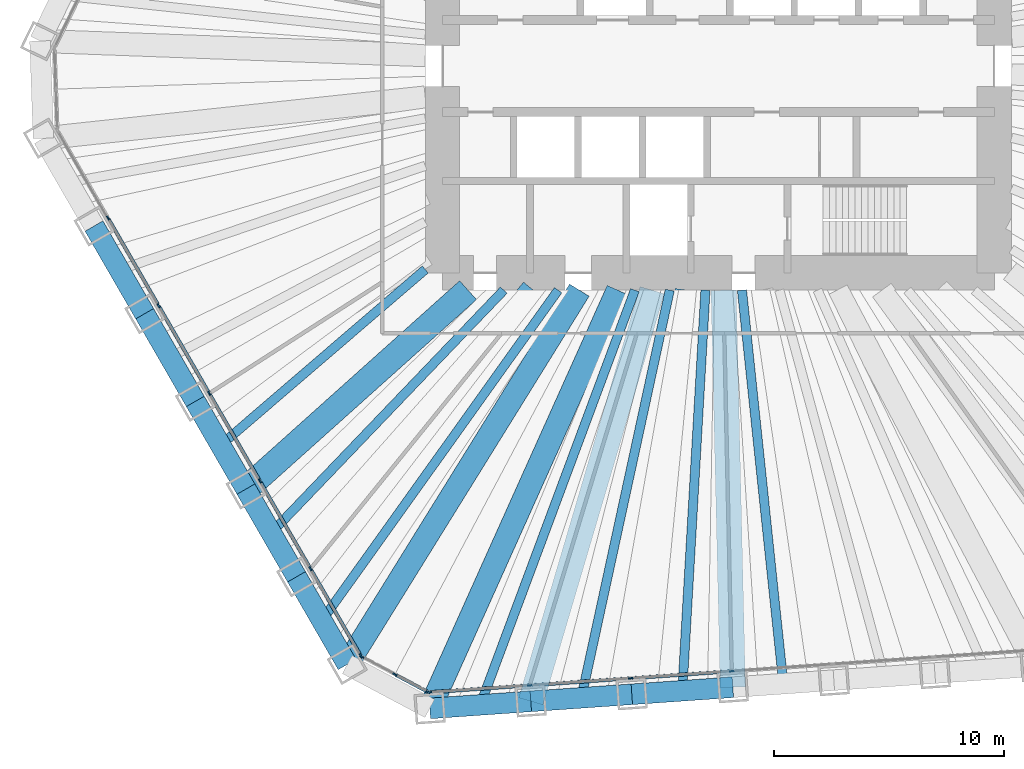
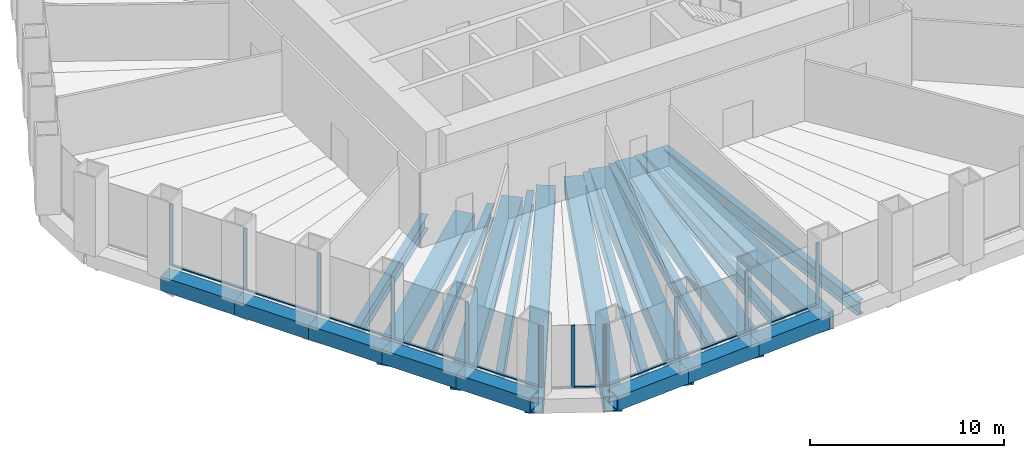
# One storey, part 2 of 13: 22 beams, 22 members, 3 elements without a shape of their own.
"""IFC4 building model written with IfcOpenShell, lengths in metres."""

from ifc_helpers import new_model, si_unit, direction, frame, origin, origin_2d, place, context, subcontext, project, spatial, rectangle, hollow_rectangle, i_section, extrude, material, material_profile, profile_set, type_object, element, aggregate, save


model = new_model("IFC4")

# Units and contexts
model_context = context("Model", 3, precision=1e-05, world=origin(), true_north=direction((0.0, 1.0)))
body_context = subcontext(model_context, "Body", "Model", "MODEL_VIEW")
ifc_project = project(units=[si_unit("LENGTHUNIT", "METRE"), si_unit("AREAUNIT", "SQUARE_METRE"), si_unit("VOLUMEUNIT", "CUBIC_METRE"), si_unit("PLANEANGLEUNIT", "RADIAN"), si_unit("MASSUNIT", "GRAM", prefix="KILO")], contexts=[model_context])

# Site, building, storey
site_placement = place(None, origin())
site = spatial("IfcSite", under=ifc_project, at=site_placement, CompositionType="ELEMENT")
building_placement = place(site_placement, origin())
building = spatial("IfcBuilding", under=site, at=building_placement, Name="Qingtian Harvest Tower", CompositionType="ELEMENT")
storey_placement = place(building_placement, frame((0.0, 0.0, 92.0)))
storey = spatial("IfcBuildingStorey", under=building, at=storey_placement, Name="L18", CompositionType="ELEMENT", Elevation=92.0)

# Beams
ifc_material_1 = material(Name="Steel SN490B", Category="steel")
ifc_material_profile_1 = material_profile(ifc_material_1, i_section(OverallWidth=0.39990234375, OverallDepth=0.89990234375, WebThickness=0.01904296875, FlangeThickness=0.035888671875, at=origin_2d()), Name="H900x400x19x36")
ifc_profile_set_1 = profile_set([ifc_material_profile_1], Name="Steel SN490B")
beam_type_1 = type_object("IfcBeamType", Name="Floor joist J4 H900x400x19x36", PredefinedType="JOIST", material=ifc_profile_set_1)
beam_1_placement = place(storey_placement, frame((2.82568359375, -26.868408203125, -0.64990234375), z_axis=(-0.104590278152, 0.99451539642, 0.0), x_axis=(-0.99451539642, -0.104590278152, 0.0)))
element("IfcBeam", 1, at=beam_1_placement, inside=storey, type_object=beam_type_1, Name="Floor joist J4 S2", PredefinedType="JOIST", context=body_context, shape_type="SweptSolid", body=[
    extrude(i_section(OverallWidth=0.39990234375, OverallDepth=0.89990234375, WebThickness=0.01904296875, FlangeThickness=0.035888671875, at=origin_2d()), origin(), (0.0, 0.0, 1.0), 17.212890625),
])
beam_2_placement = place(storey_placement, frame((-1.568115234375, -27.175537109375, -0.64990234375), z_axis=(0.057613424947, 0.998338967118, 0.0), x_axis=(-0.998338967118, 0.057613424947, 0.0)))
element("IfcBeam", 2, at=beam_2_placement, inside=storey, type_object=beam_type_1, Name="Floor joist J4 S3", PredefinedType="JOIST", context=body_context, shape_type="SweptSolid", body=[
    extrude(i_section(OverallWidth=0.39990234375, OverallDepth=0.89990234375, WebThickness=0.01904296875, FlangeThickness=0.035888671875, at=origin_2d()), origin(), (0.0, 0.0, 1.0), 17.45458984375),
])
beam_3_placement = place(storey_placement, frame((-5.9619140625, -27.48291015625, -0.64990234375), z_axis=(0.211992805661, 0.977271226604, 0.0), x_axis=(-0.977271226604, 0.211992805661, 0.0)))
element("IfcBeam", 3, at=beam_3_placement, inside=storey, type_object=beam_type_1, Name="Floor joist J4 S4", PredefinedType="JOIST", context=body_context, shape_type="SweptSolid", body=[
    extrude(i_section(OverallWidth=0.39990234375, OverallDepth=0.89990234375, WebThickness=0.01904296875, FlangeThickness=0.035888671875, at=origin_2d()), origin(), (0.0, 0.0, 1.0), 18.145263671875),
])
beam_4_placement = place(storey_placement, frame((-10.35595703125, -27.7900390625, -0.64990234375), z_axis=(0.349193741063, 0.937050548905, 0.0), x_axis=(-0.937050548905, 0.349193741063, 0.0)))
element("IfcBeam", 4, at=beam_4_placement, inside=storey, type_object=beam_type_1, Name="Floor joist J4 S5", PredefinedType="JOIST", context=body_context, shape_type="SweptSolid", body=[
    extrude(i_section(OverallWidth=0.39990234375, OverallDepth=0.89990234375, WebThickness=0.01904296875, FlangeThickness=0.035888671875, at=origin_2d()), origin(), (0.0, 0.0, 1.0), 19.251953125),
])
beam_5_placement = place(storey_placement, frame((-17.248046875, -24.12548828125, -0.64990234375), z_axis=(0.581580544546, 0.81348882611, 0.0), x_axis=(-0.81348882611, 0.581580544546, 0.0)))
element("IfcBeam", 5, at=beam_5_placement, inside=storey, type_object=beam_type_1, Name="Floor joist J4 SW0", PredefinedType="JOIST", context=body_context, shape_type="SweptSolid", body=[
    extrude(i_section(OverallWidth=0.39990234375, OverallDepth=0.89990234375, WebThickness=0.01904296875, FlangeThickness=0.035888671875, at=origin_2d()), origin(), (0.0, 0.0, 1.0), 17.67138671875),
])
beam_6_placement = place(storey_placement, frame((-19.450439453125, -20.31103515625, -0.64990234375), z_axis=(0.691639144398, 0.722243237377, 0.0), x_axis=(-0.722243237377, 0.691639144398, 0.0)))
element("IfcBeam", 6, at=beam_6_placement, inside=storey, type_object=beam_type_1, Name="Floor joist J4 SW1", PredefinedType="JOIST", context=body_context, shape_type="SweptSolid", body=[
    extrude(i_section(OverallWidth=0.39990234375, OverallDepth=0.89990234375, WebThickness=0.01904296875, FlangeThickness=0.035888671875, at=origin_2d()), origin(), (0.0, 0.0, 1.0), 14.62255859375),
])
beam_7_placement = place(storey_placement, frame((-21.652587890625, -16.496337890625, -0.64990234375), z_axis=(0.758605680154, 0.651550014994, 0.0), x_axis=(-0.651550014994, 0.758605680154, 0.0)))
element("IfcBeam", 7, at=beam_7_placement, inside=storey, type_object=beam_type_1, Name="Floor joist J4 SW2", PredefinedType="JOIST", context=body_context, shape_type="SweptSolid", body=[
    extrude(i_section(OverallWidth=0.39990234375, OverallDepth=0.89990234375, WebThickness=0.01904296875, FlangeThickness=0.035888671875, at=origin_2d()), origin(), (0.0, 0.0, 1.0), 11.7353515625),
])

# Curtain wall, members
ifc_material_2 = material(Name="Bronze-anodised aluminium curtain wall", Category="aluminium")
curtain_wall_type = type_object("IfcCurtainWallType", Name="Curtain wall CW2 farm reception", PredefinedType="USERDEFINED", material=ifc_material_2)
curtain_wall_1_placement = place(storey_placement, origin())
curtain_wall_1 = element("IfcCurtainWall", 8, at=curtain_wall_1_placement, inside=storey, type_object=curtain_wall_type, Name="Curtain wall CW2 L18 S0-5", ObjectType="RECESSED CURTAIN WALL", PredefinedType="USERDEFINED")
ifc_material_3 = material(Name="Bronze-anodised aluminium mullion", Category="aluminium")
ifc_material_profile_2 = material_profile(ifc_material_3, rectangle(XDim=0.06494140625, YDim=0.199951171875, at=origin_2d()), Name="AL 65x200")
ifc_profile_set_2 = profile_set([ifc_material_profile_2], Name="Bronze-anodised aluminium mullion")
member_type_1 = type_object("IfcMemberType", Name="Mullion CWM 65x200", PredefinedType="MULLION", material=ifc_profile_set_2)
member_1_placement = place(storey_placement, frame((0.580078125, -26.32373046875, 0.0), z_axis=(0.0, 0.0, 1.0), x_axis=(0.069756473744, -0.99756405026, 0.0)))
member_1 = element("IfcMember", 9, at=member_1_placement, type_object=member_type_1, Name="CW2 mullion 4", PredefinedType="MULLION", context=body_context, shape_type="SweptSolid", body=[
    extrude(rectangle(XDim=0.06494140625, YDim=0.199951171875, at=origin_2d()), origin(), (0.0, 0.0, 1.0), 3.89990234375),
])
member_2_placement = place(storey_placement, frame((-3.81396484375, -26.630859375, 0.0), z_axis=(0.0, 0.0, 1.0), x_axis=(0.069756473744, -0.99756405026, 0.0)))
member_2 = element("IfcMember", 10, at=member_2_placement, type_object=member_type_1, Name="CW2 mullion 5", PredefinedType="MULLION", context=body_context, shape_type="SweptSolid", body=[
    extrude(rectangle(XDim=0.06494140625, YDim=0.199951171875, at=origin_2d()), origin(), (0.0, 0.0, 1.0), 3.89990234375),
])
member_3_placement = place(storey_placement, frame((-8.207763671875, -26.938232421875, 0.0), z_axis=(0.0, 0.0, 1.0), x_axis=(0.069756473744, -0.99756405026, 0.0)))
member_3 = element("IfcMember", 11, at=member_3_placement, type_object=member_type_1, Name="CW2 mullion 6", PredefinedType="MULLION", context=body_context, shape_type="SweptSolid", body=[
    extrude(rectangle(XDim=0.06494140625, YDim=0.199951171875, at=origin_2d()), origin(), (0.0, 0.0, 1.0), 3.89990234375),
])
member_4_placement = place(storey_placement, frame((-12.569091796875, -27.2431640625, 0.0), z_axis=(0.0, 0.0, 1.0), x_axis=(0.069756473744, -0.99756405026, 0.0)))
member_4 = element("IfcMember", 12, at=member_4_placement, type_object=member_type_1, Name="CW2 mullion 7", PredefinedType="MULLION", context=body_context, shape_type="SweptSolid", body=[
    extrude(rectangle(XDim=0.06494140625, YDim=0.199951171875, at=origin_2d()), origin(), (0.0, 0.0, 1.0), 3.89990234375),
])

curtain_wall_2_placement = place(storey_placement, origin())
curtain_wall_2 = element("IfcCurtainWall", 13, at=curtain_wall_2_placement, inside=storey, type_object=curtain_wall_type, Name="Curtain wall CW2 L18 SC", ObjectType="RECESSED CURTAIN WALL", PredefinedType="USERDEFINED")
member_5_placement = place(storey_placement, frame((-12.63037109375, -27.230224609375, 0.0), z_axis=(0.0, 0.0, 1.0), x_axis=(-0.469471562786, -0.882947592859, 0.0)))
member_5 = element("IfcMember", 14, at=member_5_placement, type_object=member_type_1, Name="CW2 mullion 1", PredefinedType="MULLION", context=body_context, shape_type="SweptSolid", body=[
    extrude(rectangle(XDim=0.06494140625, YDim=0.199951171875, at=origin_2d()), origin(), (0.0, 0.0, 1.0), 3.89990234375),
])
member_6_placement = place(storey_placement, frame((-14.0712890625, -26.464111328125, 0.0), z_axis=(0.0, 0.0, 1.0), x_axis=(-0.469471562786, -0.882947592859, 0.0)))
member_6 = element("IfcMember", 15, at=member_6_placement, type_object=member_type_1, Name="CW2 mullion 2", PredefinedType="MULLION", context=body_context, shape_type="SweptSolid", body=[
    extrude(rectangle(XDim=0.06494140625, YDim=0.199951171875, at=origin_2d()), origin(), (0.0, 0.0, 1.0), 3.89990234375),
])
member_7_placement = place(storey_placement, frame((-15.511962890625, -25.697998046875, 0.0), z_axis=(0.0, 0.0, 1.0), x_axis=(-0.469471562786, -0.882947592859, 0.0)))
member_7 = element("IfcMember", 16, at=member_7_placement, type_object=member_type_1, Name="CW2 mullion 3", PredefinedType="MULLION", context=body_context, shape_type="SweptSolid", body=[
    extrude(rectangle(XDim=0.06494140625, YDim=0.199951171875, at=origin_2d()), origin(), (0.0, 0.0, 1.0), 3.89990234375),
])

curtain_wall_3_placement = place(storey_placement, origin())
curtain_wall_3 = element("IfcCurtainWall", 17, at=curtain_wall_3_placement, inside=storey, type_object=curtain_wall_type, Name="Curtain wall CW2 L18 SW0-5", ObjectType="RECESSED CURTAIN WALL", PredefinedType="USERDEFINED")
member_8_placement = place(storey_placement, frame((-15.556884765625, -25.654541015625, 0.0), z_axis=(0.0, 0.0, 1.0), x_axis=(-0.866025403784, -0.5, 0.0)))
member_8 = element("IfcMember", 18, at=member_8_placement, type_object=member_type_1, Name="CW2 mullion 1", PredefinedType="MULLION", context=body_context, shape_type="SweptSolid", body=[
    extrude(rectangle(XDim=0.06494140625, YDim=0.199951171875, at=origin_2d()), origin(), (0.0, 0.0, 1.0), 3.89990234375),
])
member_9_placement = place(storey_placement, frame((-17.742919921875, -21.8681640625, 0.0), z_axis=(0.0, 0.0, 1.0), x_axis=(-0.866025403784, -0.5, 0.0)))
member_9 = element("IfcMember", 19, at=member_9_placement, type_object=member_type_1, Name="CW2 mullion 2", PredefinedType="MULLION", context=body_context, shape_type="SweptSolid", body=[
    extrude(rectangle(XDim=0.06494140625, YDim=0.199951171875, at=origin_2d()), origin(), (0.0, 0.0, 1.0), 3.89990234375),
])
member_10_placement = place(storey_placement, frame((-19.9453125, -18.0537109375, 0.0), z_axis=(0.0, 0.0, 1.0), x_axis=(-0.866025403784, -0.5, 0.0)))
member_10 = element("IfcMember", 20, at=member_10_placement, type_object=member_type_1, Name="CW2 mullion 3", PredefinedType="MULLION", context=body_context, shape_type="SweptSolid", body=[
    extrude(rectangle(XDim=0.06494140625, YDim=0.199951171875, at=origin_2d()), origin(), (0.0, 0.0, 1.0), 3.89990234375),
])
member_11_placement = place(storey_placement, frame((-22.147705078125, -14.2392578125, 0.0), z_axis=(0.0, 0.0, 1.0), x_axis=(-0.866025403784, -0.5, 0.0)))
member_11 = element("IfcMember", 21, at=member_11_placement, type_object=member_type_1, Name="CW2 mullion 4", PredefinedType="MULLION", context=body_context, shape_type="SweptSolid", body=[
    extrude(rectangle(XDim=0.06494140625, YDim=0.199951171875, at=origin_2d()), origin(), (0.0, 0.0, 1.0), 3.89990234375),
])
member_12_placement = place(storey_placement, frame((-24.349853515625, -10.424560546875, 0.0), z_axis=(0.0, 0.0, 1.0), x_axis=(-0.866025403784, -0.5, 0.0)))
member_12 = element("IfcMember", 22, at=member_12_placement, type_object=member_type_1, Name="CW2 mullion 5", PredefinedType="MULLION", context=body_context, shape_type="SweptSolid", body=[
    extrude(rectangle(XDim=0.06494140625, YDim=0.199951171875, at=origin_2d()), origin(), (0.0, 0.0, 1.0), 3.89990234375),
])
member_13_placement = place(storey_placement, frame((-26.55224609375, -6.610107421875, 0.0), z_axis=(0.0, 0.0, 1.0), x_axis=(-0.866025403784, -0.5, 0.0)))
member_13 = element("IfcMember", 23, at=member_13_placement, type_object=member_type_1, Name="CW2 mullion 6", PredefinedType="MULLION", context=body_context, shape_type="SweptSolid", body=[
    extrude(rectangle(XDim=0.06494140625, YDim=0.199951171875, at=origin_2d()), origin(), (0.0, 0.0, 1.0), 3.89990234375),
])

# Beams
ifc_material_4 = material(Name="Steel SM570MC", Category="steel")
ifc_material_profile_3 = material_profile(ifc_material_4, hollow_rectangle(XDim=1.0, YDim=1.0, WallThickness=0.080078125, at=origin_2d()), Name="BOX1000x1000x80")
ifc_profile_set_3 = profile_set([ifc_material_profile_3], Name="Steel SM570MC")
beam_type_2 = type_object("IfcBeamType", Name="Transfer corner beam FB11 BOX1000x1000x80", PredefinedType="BEAM", material=ifc_profile_set_3)
beam_8_placement = place(storey_placement, frame((-12.552734375, -27.943603515625, -0.699951171875), z_axis=(0.409769605538, 0.912189054077, 0.0), x_axis=(-0.912189054077, 0.409769605538, 0.0)))
element("IfcBeam", 24, at=beam_8_placement, inside=storey, type_object=beam_type_2, Name="Floor beam FB11 S6", PredefinedType="BEAM", context=body_context, shape_type="SweptSolid", body=[
    extrude(hollow_rectangle(XDim=1.0, YDim=1.0, WallThickness=0.080078125, at=origin_2d()), origin(), (0.0, 0.0, 1.0), 19.945068359375),
])
beam_9_placement = place(storey_placement, frame((-16.14697265625, -26.03271484375, -0.699951171875), z_axis=(0.5270935495, 0.849807266429, 0.0), x_axis=(-0.849807266429, 0.5270935495, 0.0)))
element("IfcBeam", 25, at=beam_9_placement, inside=storey, type_object=beam_type_2, Name="Floor beam FB11 SW0", PredefinedType="BEAM", context=body_context, shape_type="SweptSolid", body=[
    extrude(hollow_rectangle(XDim=1.0, YDim=1.0, WallThickness=0.080078125, at=origin_2d()), origin(), (0.0, 0.0, 1.0), 19.160400390625),
])
ifc_material_5 = material(Name="Steel SM570MC", Category="steel")
ifc_material_profile_4 = material_profile(ifc_material_5, hollow_rectangle(XDim=1.10009765625, YDim=1.10009765625, WallThickness=0.10009765625, at=origin_2d()), Name="BOX1100x1100x100")
ifc_profile_set_4 = profile_set([ifc_material_profile_4], Name="Steel SM570MC")
beam_type_3 = type_object("IfcBeamType", Name="Transfer floor beam FB9 BOX1100x1100x100", PredefinedType="BEAM", material=ifc_profile_set_4)
beam_10_placement = place(storey_placement, frame((0.62890625, -27.02197265625, -0.75), z_axis=(-0.023274161941, 0.999729120005, 0.0), x_axis=(-0.999729120005, -0.023274161941, 0.0)))
element("IfcBeam", 26, at=beam_10_placement, inside=storey, type_object=beam_type_3, Name="Floor beam FB9 S3", PredefinedType="BEAM", context=body_context, shape_type="SweptSolid", body=[
    extrude(hollow_rectangle(XDim=1.10009765625, YDim=1.10009765625, WallThickness=0.10009765625, at=origin_2d()), origin(), (0.0, 0.0, 1.0), 17.276611328125),
])
beam_11_placement = place(storey_placement, frame((-3.76513671875, -27.3291015625, -0.75), z_axis=(0.136480966577, 0.990642693287, 0.0), x_axis=(-0.990642693287, 0.136480966577, 0.0)))
element("IfcBeam", 27, at=beam_11_placement, inside=storey, type_object=beam_type_3, Name="Floor beam FB9 S4", PredefinedType="BEAM", context=body_context, shape_type="SweptSolid", body=[
    extrude(hollow_rectangle(XDim=1.10009765625, YDim=1.10009765625, WallThickness=0.10009765625, at=origin_2d()), origin(), (0.0, 0.0, 1.0), 17.7451171875),
])
beam_12_placement = place(storey_placement, frame((-8.158935546875, -27.636474609375, -0.75), z_axis=(0.283142824758, 0.95907775534, 0.0), x_axis=(-0.95907775534, 0.283142824758, 0.0)))
element("IfcBeam", 28, at=beam_12_placement, inside=storey, type_object=beam_type_3, Name="Floor beam FB9 S5", PredefinedType="BEAM", context=body_context, shape_type="SweptSolid", body=[
    extrude(hollow_rectangle(XDim=1.10009765625, YDim=1.10009765625, WallThickness=0.10009765625, at=origin_2d()), origin(), (0.0, 0.0, 1.0), 18.649658203125),
])
beam_13_placement = place(storey_placement, frame((-18.349365234375, -22.21826171875, -0.75), z_axis=(0.636780387972, 0.771045224026, 0.0), x_axis=(-0.771045224026, 0.636780387972, 0.0)))
element("IfcBeam", 29, at=beam_13_placement, inside=storey, type_object=beam_type_3, Name="Floor beam FB9 SW1", PredefinedType="BEAM", context=body_context, shape_type="SweptSolid", body=[
    extrude(hollow_rectangle(XDim=1.10009765625, YDim=1.10009765625, WallThickness=0.10009765625, at=origin_2d()), origin(), (0.0, 0.0, 1.0), 16.170654296875),
])
beam_14_placement = place(storey_placement, frame((-20.551513671875, -18.403564453125, -0.75), z_axis=(0.744965104975, 0.667103434536, 0.0), x_axis=(-0.667103434536, 0.744965104975, 0.0)))
element("IfcBeam", 30, at=beam_14_placement, inside=storey, type_object=beam_type_3, Name="Floor beam FB9 SW2", PredefinedType="BEAM", context=body_context, shape_type="SweptSolid", body=[
    extrude(hollow_rectangle(XDim=1.10009765625, YDim=1.10009765625, WallThickness=0.10009765625, at=origin_2d()), origin(), (0.0, 0.0, 1.0), 12.971923828125),
])
ifc_material_6 = material(Name="Steel SM570MC", Category="steel")
ifc_material_profile_5 = material_profile(ifc_material_6, hollow_rectangle(XDim=0.89990234375, YDim=0.89990234375, WallThickness=0.050048828125, at=origin_2d()), Name="BOX900x900x50")
ifc_profile_set_5 = profile_set([ifc_material_profile_5], Name="Steel SM570MC")
beam_type_4 = type_object("IfcBeamType", Name="Transition spandrel SB6 BOX900x900x50", PredefinedType="SPANDREL", material=ifc_profile_set_5)
beam_15_placement = place(storey_placement, frame((0.62890625, -27.02197265625, -0.449951171875), z_axis=(-0.997566143208, -0.069726536735, 0.0), x_axis=(0.069726536735, -0.997566143208, 0.0)))
element("IfcBeam", 31, at=beam_15_placement, inside=storey, type_object=beam_type_4, Name="Spandrel SB6 S3", PredefinedType="SPANDREL", context=body_context, shape_type="SweptSolid", body=[
    extrude(hollow_rectangle(XDim=0.89990234375, YDim=0.89990234375, WallThickness=0.050048828125, at=origin_2d()), origin(), (0.0, 0.0, 1.0), 4.40478515625),
])
for number, where, z_axis, x_axis, name in (
    (32, (-3.76513671875, -27.3291015625, -0.449951171875), (-0.997562016486, -0.069785551967, 0.0), (0.069785551967, -0.997562016486, 0.0), "Spandrel SB6 S4"),
    (33, (-8.158935546875, -27.636474609375, -0.449951171875), (-0.997565873714, -0.069730392239, 0.0), (0.069730392239, -0.997565873714, 0.0), "Spandrel SB6 S5"),
    (34, (-16.14697265625, -26.03271484375, -0.449951171875), (-0.50001992892, 0.866013897511, 0.0), (-0.866013897511, -0.50001992892, 0.0), "Spandrel SB6 SW0"),
):
    element("IfcBeam", number, at=place(storey_placement, frame(where, z_axis=z_axis, x_axis=x_axis)), inside=storey, type_object=beam_type_4, Name=name, PredefinedType="SPANDREL", context=body_context, shape_type="SweptSolid", body=[
        extrude(hollow_rectangle(XDim=0.89990234375, YDim=0.89990234375, WallThickness=0.050048828125, at=origin_2d()), origin(), (0.0, 0.0, 1.0), 4.404541015625),
    ])
beam_16_placement = place(storey_placement, frame((-18.349365234375, -22.21826171875, -0.449951171875), z_axis=(-0.499954356739, 0.86605175433, 0.0), x_axis=(-0.86605175433, -0.499954356739, 0.0)))
element("IfcBeam", 35, at=beam_16_placement, inside=storey, type_object=beam_type_4, Name="Spandrel SB6 SW1", PredefinedType="SPANDREL", context=body_context, shape_type="SweptSolid", body=[
    extrude(hollow_rectangle(XDim=0.89990234375, YDim=0.89990234375, WallThickness=0.050048828125, at=origin_2d()), origin(), (0.0, 0.0, 1.0), 4.40478515625),
])
for number, where, z_axis, x_axis, name in (
    (36, (-20.551513671875, -18.403564453125, -0.449951171875), (-0.50001992892, 0.866013897511, 0.0), (-0.866013897511, -0.50001992892, 0.0), "Spandrel SB6 SW2"),
    (37, (-22.75390625, -14.589111328125, -0.449951171875), (-0.499978356969, 0.866037899034, 0.0), (-0.866037899034, -0.499978356969, 0.0), "Spandrel SB6 SW3"),
    (38, (-24.9560546875, -10.774658203125, -0.449951171875), (-0.50001992892, 0.866013897511, 0.0), (-0.866013897511, -0.50001992892, 0.0), "Spandrel SB6 SW4"),
):
    element("IfcBeam", number, at=place(storey_placement, frame(where, z_axis=z_axis, x_axis=x_axis)), inside=storey, type_object=beam_type_4, Name=name, PredefinedType="SPANDREL", context=body_context, shape_type="SweptSolid", body=[
        extrude(hollow_rectangle(XDim=0.89990234375, YDim=0.89990234375, WallThickness=0.050048828125, at=origin_2d()), origin(), (0.0, 0.0, 1.0), 4.404541015625),
    ])

# Member
ifc_material_7 = material(Name="Bronze-anodised aluminium transom", Category="aluminium")
ifc_material_profile_6 = material_profile(ifc_material_7, rectangle(XDim=0.14990234375, YDim=0.06494140625, at=origin_2d()), Name="AL 65x150")
ifc_profile_set_6 = profile_set([ifc_material_profile_6], Name="Bronze-anodised aluminium transom")
member_type_2 = type_object("IfcMemberType", Name="Transom CWT 65x150", PredefinedType="USERDEFINED", material=ifc_profile_set_6)
member_14_placement = place(storey_placement, frame((0.547607421875, -26.325927734375, 0.032470703125), z_axis=(-0.997563824095, -0.069759707979, 0.0), x_axis=(0.069759707979, -0.997563824095, 0.0)))
member_14 = element("IfcMember", 39, at=member_14_placement, type_object=member_type_2, Name="CW2 transom 4.1", ObjectType="TRANSOM", PredefinedType="USERDEFINED", context=body_context, shape_type="SweptSolid", body=[
    extrude(rectangle(XDim=0.14990234375, YDim=0.06494140625, at=origin_2d()), origin(), (0.0, 0.0, 1.0), 4.339599609375),
])

member_15_placement = place(storey_placement, frame((-3.84619140625, -26.63330078125, 0.032470703125), z_axis=(-0.997567737508, -0.069703723594, 0.0), x_axis=(0.069703723594, -0.997567737508, 0.0)))
member_15 = element("IfcMember", 40, at=member_15_placement, type_object=member_type_2, Name="CW2 transom 5.1", ObjectType="TRANSOM", PredefinedType="USERDEFINED", context=body_context, shape_type="SweptSolid", body=[
    extrude(rectangle(XDim=0.14990234375, YDim=0.06494140625, at=origin_2d()), origin(), (0.0, 0.0, 1.0), 4.339599609375),
])

member_16_placement = place(storey_placement, frame((-8.240234375, -26.9404296875, 0.032470703125), z_axis=(-0.997562637827, -0.069776669536, 0.0), x_axis=(0.069776669536, -0.997562637827, 0.0)))
member_16 = element("IfcMember", 41, at=member_16_placement, type_object=member_type_2, Name="CW2 transom 6.1", ObjectType="TRANSOM", PredefinedType="USERDEFINED", context=body_context, shape_type="SweptSolid", body=[
    extrude(rectangle(XDim=0.14990234375, YDim=0.06494140625, at=origin_2d()), origin(), (0.0, 0.0, 1.0), 4.30712890625),
])

aggregate(curtain_wall_1, [member_1, member_2, member_3, member_4, member_14, member_15, member_16])

member_17_placement = place(storey_placement, frame((-12.658935546875, -27.21484375, 0.032470703125), z_axis=(-0.882960338349, 0.46944759122, 0.0), x_axis=(-0.46944759122, -0.882960338349, 0.0)))
member_17 = element("IfcMember", 42, at=member_17_placement, type_object=member_type_2, Name="CW2 transom 1.1", ObjectType="TRANSOM", PredefinedType="USERDEFINED", context=body_context, shape_type="SweptSolid", body=[
    extrude(rectangle(XDim=0.14990234375, YDim=0.06494140625, at=origin_2d()), origin(), (0.0, 0.0, 1.0), 1.56689453125),
])

aggregate(curtain_wall_2, [member_5, member_6, member_7, member_17])

member_18_placement = place(storey_placement, frame((-15.5732421875, -25.62646484375, 0.032470703125), z_axis=(-0.499985768833, 0.866033619997, 0.0), x_axis=(-0.866033619997, -0.499985768833, 0.0)))
member_18 = element("IfcMember", 43, at=member_18_placement, type_object=member_type_2, Name="CW2 transom 1.1", ObjectType="TRANSOM", PredefinedType="USERDEFINED", context=body_context, shape_type="SweptSolid", body=[
    extrude(rectangle(XDim=0.14990234375, YDim=0.06494140625, at=origin_2d()), origin(), (0.0, 0.0, 1.0), 4.307373046875),
])

member_19_placement = place(storey_placement, frame((-17.75927734375, -21.840087890625, 0.032470703125), z_axis=(-0.500011390128, 0.866018827591, 0.0), x_axis=(-0.866018827591, -0.500011390128, 0.0)))
member_19 = element("IfcMember", 44, at=member_19_placement, type_object=member_type_2, Name="CW2 transom 2.1", ObjectType="TRANSOM", PredefinedType="USERDEFINED", context=body_context, shape_type="SweptSolid", body=[
    extrude(rectangle(XDim=0.14990234375, YDim=0.06494140625, at=origin_2d()), origin(), (0.0, 0.0, 1.0), 4.33984375),
])

member_20_placement = place(storey_placement, frame((-19.961669921875, -18.025634765625, 0.032470703125), z_axis=(-0.499969196308, 0.866043187574, 0.0), x_axis=(-0.866043187574, -0.499969196308, 0.0)))
member_20 = element("IfcMember", 45, at=member_20_placement, type_object=member_type_2, Name="CW2 transom 3.1", ObjectType="TRANSOM", PredefinedType="USERDEFINED", context=body_context, shape_type="SweptSolid", body=[
    extrude(rectangle(XDim=0.14990234375, YDim=0.06494140625, at=origin_2d()), origin(), (0.0, 0.0, 1.0), 4.339599609375),
])

member_21_placement = place(storey_placement, frame((-22.163818359375, -14.2109375, 0.032470703125), z_axis=(-0.500035751442, 0.866004761696, 0.0), x_axis=(-0.866004761696, -0.500035751442, 0.0)))
member_21 = element("IfcMember", 46, at=member_21_placement, type_object=member_type_2, Name="CW2 transom 4.1", ObjectType="TRANSOM", PredefinedType="USERDEFINED", context=body_context, shape_type="SweptSolid", body=[
    extrude(rectangle(XDim=0.14990234375, YDim=0.06494140625, at=origin_2d()), origin(), (0.0, 0.0, 1.0), 4.339599609375),
])

member_22_placement = place(storey_placement, frame((-24.3662109375, -10.396484375, 0.032470703125), z_axis=(-0.499993556937, 0.866029123656, 0.0), x_axis=(-0.866029123656, -0.499993556937, 0.0)))
member_22 = element("IfcMember", 47, at=member_22_placement, type_object=member_type_2, Name="CW2 transom 5.1", ObjectType="TRANSOM", PredefinedType="USERDEFINED", context=body_context, shape_type="SweptSolid", body=[
    extrude(rectangle(XDim=0.14990234375, YDim=0.06494140625, at=origin_2d()), origin(), (0.0, 0.0, 1.0), 4.33935546875),
])

aggregate(curtain_wall_3, [member_8, member_9, member_10, member_11, member_12, member_13, member_18, member_19, member_20, member_21, member_22])

save(model, "model.ifc")
